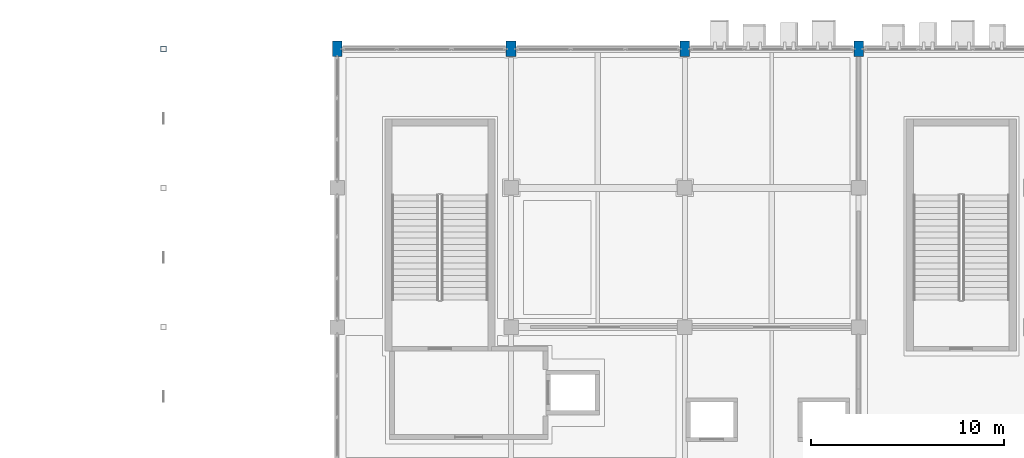
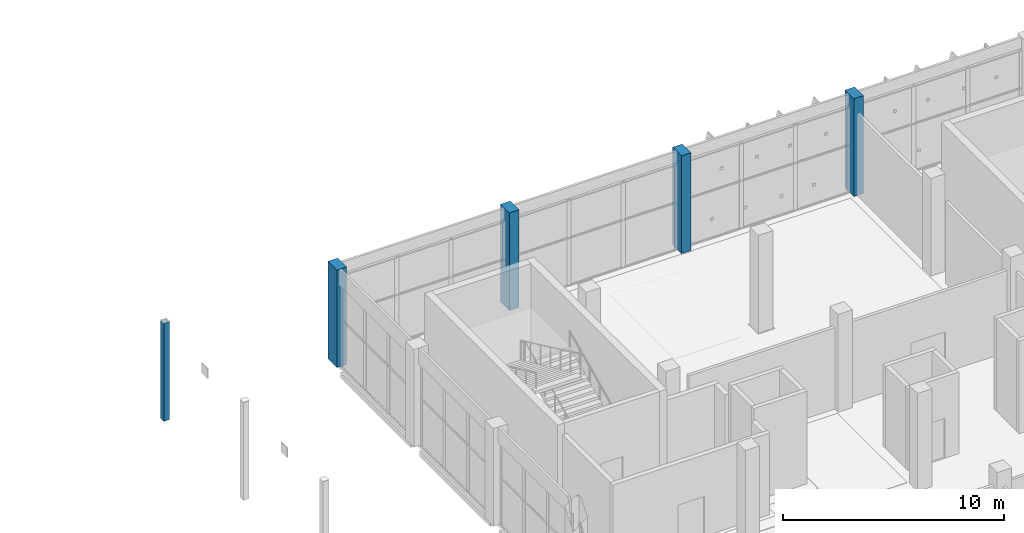
# One storey, part 12 of 189: 5 columns.
"""IFC4 building model written with IfcOpenShell, lengths in metres."""

from ifc_helpers import new_model, si_unit, direction, frame, origin, origin_2d, place, context, subcontext, project, spatial, rectangle, hollow_rectangle, extrude, material, material_profile, profile_set, type_object, element, save


model = new_model("IFC4")

# Units and contexts
model_context = context("Model", 3, precision=1e-05, world=origin(), true_north=direction((0.0, 1.0)))
body_context = subcontext(model_context, "Body", "Model", "MODEL_VIEW")
ifc_project = project(units=[si_unit("LENGTHUNIT", "METRE"), si_unit("AREAUNIT", "SQUARE_METRE"), si_unit("VOLUMEUNIT", "CUBIC_METRE"), si_unit("PLANEANGLEUNIT", "RADIAN"), si_unit("MASSUNIT", "GRAM", prefix="KILO")], contexts=[model_context])

# Site, building, storey
site_placement = place(None, origin())
site = spatial("IfcSite", under=ifc_project, at=site_placement, CompositionType="ELEMENT")
building_placement = place(site_placement, origin())
building = spatial("IfcBuilding", under=site, at=building_placement, Name="Celestram Park Convention Centre", CompositionType="ELEMENT")
storey_placement = place(building_placement, frame((0.0, 0.0, 5.39990234375)))
storey = spatial("IfcBuildingStorey", under=building, at=storey_placement, Name="L01", CompositionType="ELEMENT", Elevation=5.39990234375)

# Columns
ifc_material_1 = material(Name="Steel ASTM A500 Grade C", Category="steel")
ifc_material_profile_1 = material_profile(ifc_material_1, hollow_rectangle(XDim=0.300048828125, YDim=0.300048828125, WallThickness=0.01611328125, at=origin_2d()), Name="HSS300X300X16")
ifc_profile_set_1 = profile_set([ifc_material_profile_1], Name="Steel ASTM A500 Grade C")
column_type_1 = type_object("IfcColumnType", Name="STR-COL-HSS300", PredefinedType="COLUMN", material=ifc_profile_set_1)
column_placement = place(storey_placement, frame((27.0, 165.60009765625, 0.0), z_axis=(0.0, 0.0, 1.0), x_axis=(1.0, 0.0, 0.0)))
element("IfcColumn", 1, at=column_placement, inside=storey, type_object=column_type_1, Name="Column CN-L01-039", PredefinedType="COLUMN", context=body_context, shape_type="SweptSolid", body=[
    extrude(hollow_rectangle(XDim=0.300048828125, YDim=0.300048828125, WallThickness=0.01611328125, at=origin_2d()), origin(), (0.0, 0.0, 1.0), 5.400146484375),
])
ifc_material_2 = material(Name="Concrete C40/50", Category="concrete")
ifc_material_profile_2 = material_profile(ifc_material_2, rectangle(XDim=0.5, YDim=0.800048828125, at=origin_2d()), Name="RC800X500")
ifc_profile_set_2 = profile_set([ifc_material_profile_2], Name="Concrete C40/50")
column_type_2 = type_object("IfcColumnType", Name="STR-COL-RC800X500", PredefinedType="COLUMN", material=ifc_profile_set_2)
for number, where, z_axis, x_axis, name in (
    (2, (36.0, 165.60009765625, 0.0), (0.0, 0.0, 1.0), (1.0, 0.0, 0.0), "Column CN-L01-049"),
    (3, (45.0, 165.60009765625, 0.0), (0.0, 0.0, 1.0), (1.0, 0.0, 0.0), "Column CN-L01-059"),
    (4, (54.0, 165.60009765625, 0.0), (0.0, 0.0, 1.0), (1.0, 0.0, 0.0), "Column CN-L01-068"),
    (5, (63.0, 165.60009765625, 0.0), (0.0, 0.0, 1.0), (1.0, 0.0, 0.0), "Column CN-L01-077"),
):
    element("IfcColumn", number, at=place(storey_placement, frame(where, z_axis=z_axis, x_axis=x_axis)), inside=storey, type_object=column_type_2, Name=name, PredefinedType="COLUMN", context=body_context, shape_type="SweptSolid", body=[
        extrude(rectangle(XDim=0.5, YDim=0.800048828125, at=origin_2d()), origin(), (0.0, 0.0, 1.0), 5.400146484375),
    ])

save(model, "model.ifc")
